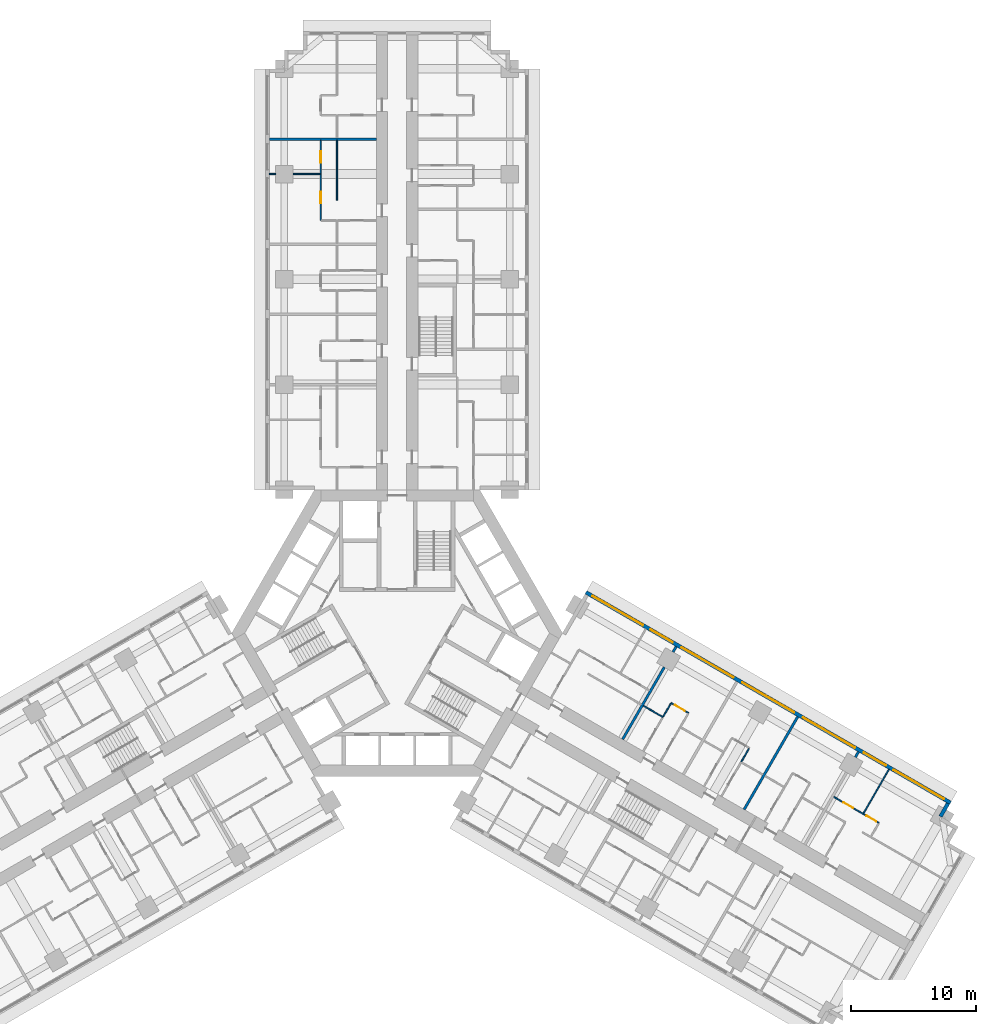
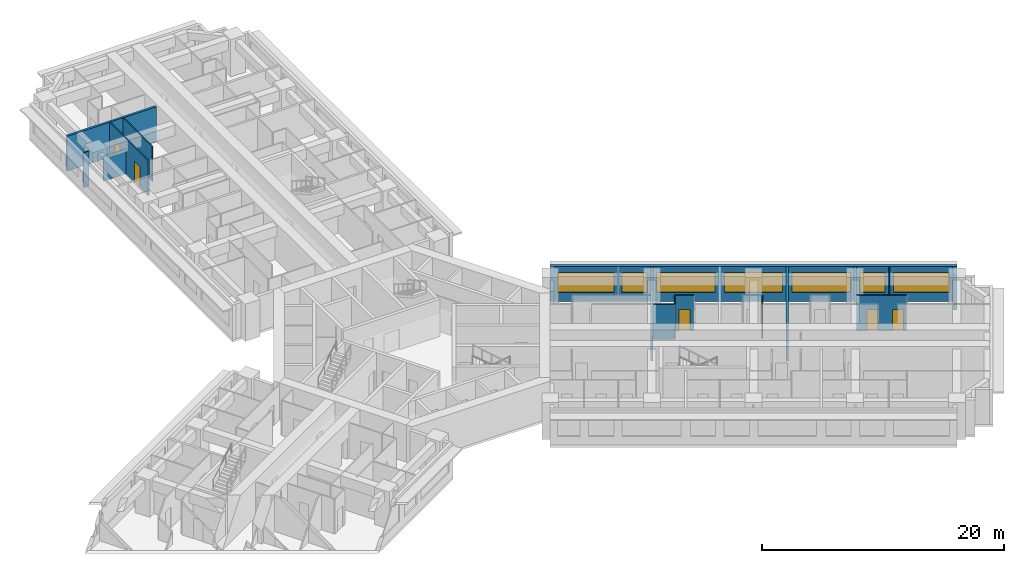
# One storey, part 13 of 16: 17 walls, 7 windows, 5 doors, 12 openings.
"""IFC4 building model written with IfcOpenShell, lengths in metres."""

from ifc_helpers import new_model, si_unit, direction, frame, frame_2d, origin, place, context, subcontext, project, spatial, rectangle, extrude, material, layer, layer_set, type_object, element, fill, save


model = new_model("IFC4")

# Units and contexts
model_context = context("Model", 3, precision=1e-05, world=origin(), true_north=direction((0.0, 1.0)))
body_context = subcontext(model_context, "Body", "Model", "MODEL_VIEW")
ifc_project = project(units=[si_unit("LENGTHUNIT", "METRE"), si_unit("AREAUNIT", "SQUARE_METRE"), si_unit("VOLUMEUNIT", "CUBIC_METRE"), si_unit("PLANEANGLEUNIT", "RADIAN"), si_unit("MASSUNIT", "GRAM", prefix="KILO")], contexts=[model_context])

# Site, building, storey
site_placement = place(None, origin())
site = spatial("IfcSite", under=ifc_project, at=site_placement, CompositionType="ELEMENT")
building_placement = place(site_placement, origin())
building = spatial("IfcBuilding", under=site, at=building_placement, Name="Impinga Residences", CompositionType="ELEMENT")
storey_placement = place(building_placement, frame((0.0, 0.0, 67.25)))
storey = spatial("IfcBuildingStorey", under=building, at=storey_placement, Name="L16", CompositionType="ELEMENT", Elevation=67.25)

# Wall, openings, windows
ifc_material_1 = material(Name="Terracotta rainscreen on blockwork", Category="masonry")
ifc_layer_1 = layer(ifc_material_1, 0.300048828125)
ifc_layer_set_1 = layer_set([ifc_layer_1], Name="EW1 external wall, terracotta rainscreen on blockwork 300")
wall_type_1 = type_object("IfcWallType", Name="EW1 external wall, terracotta rainscreen on blockwork 300", PredefinedType="SOLIDWALL", material=ifc_layer_set_1)
wall_1_placement = place(storey_placement, frame((15.074951171875, 3.24755859375, 0.0), z_axis=(0.0, 0.0, 1.0), x_axis=(0.866024291668, -0.500001926238, 0.0)))
wall_1 = element("IfcWall", 1, at=wall_1_placement, inside=storey, type_object=wall_type_1, Name="External wall EW1 L16", PredefinedType="SOLIDWALL", context=body_context, shape_type="SweptSolid", body=[
    extrude(rectangle(XDim=33.599853515625, YDim=0.300048828125, at=frame_2d((16.7998046875, 0.0))), origin(), (0.0, 0.0, 1.0), 3.530029296875),
])
opening_1_placement = place(wall_1_placement, frame((0.60009765625, 0.0, 0.89990234375)))
opening_1 = element("IfcOpeningElement", 2, at=opening_1_placement, cuts=wall_1, Name="Opening W10", PredefinedType="OPENING", context=body_context, shape_type="SweptSolid", body=[
    extrude(rectangle(XDim=4.64990234375, YDim=2.050048828125, at=frame_2d((2.324951171875, 1.02490234375))), frame((0.0, 0.159912109375, 0.0), z_axis=(0.0, -1.0, 0.0), x_axis=(1.0, 0.0, 0.0)), (0.0, 0.0, 1.0), 0.320068359375),
])
opening_2_placement = place(wall_1_placement, frame((5.949951171875, 0.0, 0.89990234375)))
opening_2 = element("IfcOpeningElement", 3, at=opening_2_placement, cuts=wall_1, Name="Opening W14", PredefinedType="OPENING", context=body_context, shape_type="SweptSolid", body=[
    extrude(rectangle(XDim=2.050048828125, YDim=2.050048828125, at=frame_2d((1.02490234375, 1.02490234375))), frame((0.0, 0.159912109375, 0.0), z_axis=(0.0, -1.0, 0.0), x_axis=(1.0, 0.0, 0.0)), (0.0, 0.0, 1.0), 0.320068359375),
])
opening_3_placement = place(wall_1_placement, frame((8.800048828125, 0.0, 0.89990234375)))
opening_3 = element("IfcOpeningElement", 4, at=opening_3_placement, cuts=wall_1, Name="Opening W8", PredefinedType="OPENING", context=body_context, shape_type="SweptSolid", body=[
    extrude(rectangle(XDim=4.800048828125, YDim=2.050048828125, at=frame_2d((2.39990234375, 1.02490234375))), frame((0.0, 0.159912109375, 0.0), z_axis=(0.0, -1.0, 0.0), x_axis=(1.0, 0.0, 0.0)), (0.0, 0.0, 1.0), 0.320068359375),
])
opening_4_placement = place(wall_1_placement, frame((14.39990234375, 0.0, 0.89990234375)))
opening_4 = element("IfcOpeningElement", 5, at=opening_4_placement, cuts=wall_1, Name="Opening W8", PredefinedType="OPENING", context=body_context, shape_type="SweptSolid", body=[
    extrude(rectangle(XDim=4.800048828125, YDim=2.050048828125, at=frame_2d((2.39990234375, 1.02490234375))), frame((0.0, 0.159912109375, 0.0), z_axis=(0.0, -1.0, 0.0), x_axis=(1.0, 0.0, 0.0)), (0.0, 0.0, 1.0), 0.320068359375),
])
opening_5_placement = place(wall_1_placement, frame((20.0, 0.0, 0.89990234375)))
opening_5 = element("IfcOpeningElement", 6, at=opening_5_placement, cuts=wall_1, Name="Opening W8", PredefinedType="OPENING", context=body_context, shape_type="SweptSolid", body=[
    extrude(rectangle(XDim=4.800048828125, YDim=2.050048828125, at=frame_2d((2.39990234375, 1.02490234375))), frame((0.0, 0.159912109375, 0.0), z_axis=(0.0, -1.0, 0.0), x_axis=(1.0, 0.0, 0.0)), (0.0, 0.0, 1.0), 0.320068359375),
])
opening_6_placement = place(wall_1_placement, frame((25.60009765625, 0.0, 0.89990234375)))
opening_6 = element("IfcOpeningElement", 7, at=opening_6_placement, cuts=wall_1, Name="Opening W14", PredefinedType="OPENING", context=body_context, shape_type="SweptSolid", body=[
    extrude(rectangle(XDim=2.050048828125, YDim=2.050048828125, at=frame_2d((1.02490234375, 1.02490234375))), frame((0.0, 0.159912109375, 0.0), z_axis=(0.0, -1.0, 0.0), x_axis=(1.0, 0.0, 0.0)), (0.0, 0.0, 1.0), 0.320068359375),
])
opening_7_placement = place(wall_1_placement, frame((28.35009765625, 0.0, 0.89990234375)))
opening_7 = element("IfcOpeningElement", 8, at=opening_7_placement, cuts=wall_1, Name="Opening W10", PredefinedType="OPENING", context=body_context, shape_type="SweptSolid", body=[
    extrude(rectangle(XDim=4.64990234375, YDim=2.050048828125, at=frame_2d((2.324951171875, 1.02490234375))), frame((0.0, 0.159912109375, 0.0), z_axis=(0.0, -1.0, 0.0), x_axis=(1.0, 0.0, 0.0)), (0.0, 0.0, 1.0), 0.320068359375),
])
ifc_material_2 = material(Name="Aluminium window, clear double glazing", Category="aluminium")
window_type_1 = type_object("IfcWindowType", Name="W10 ribbon window 4650x2050", PartitioningType="SINGLE_PANEL", PredefinedType="WINDOW", material=ifc_material_2)
window_1_placement = place(opening_1_placement, origin())
window_1 = element("IfcWindow", 9, at=window_1_placement, inside=storey, type_object=window_type_1, Name="Window L16", OverallHeight=2.050048828125, OverallWidth=4.64990234375, PartitioningType="SINGLE_PANEL", PredefinedType="WINDOW", context=body_context, shape_type="SweptSolid", body=[
    extrude(rectangle(XDim=4.64990234375, YDim=2.050048828125, at=frame_2d((2.324951171875, 1.02490234375))), frame((0.0, 0.030029296875, 0.0), z_axis=(0.0, -1.0, 0.0), x_axis=(1.0, 0.0, 0.0)), (0.0, 0.0, 1.0), 0.06005859375),
])
fill(opening_1, window_1)
window_2_placement = place(opening_7_placement, origin())
window_2 = element("IfcWindow", 10, at=window_2_placement, inside=storey, type_object=window_type_1, Name="Window L16", OverallHeight=2.050048828125, OverallWidth=4.64990234375, PartitioningType="SINGLE_PANEL", PredefinedType="WINDOW", context=body_context, shape_type="SweptSolid", body=[
    extrude(rectangle(XDim=4.64990234375, YDim=2.050048828125, at=frame_2d((2.324951171875, 1.02490234375))), frame((0.0, 0.030029296875, 0.0), z_axis=(0.0, -1.0, 0.0), x_axis=(1.0, 0.0, 0.0)), (0.0, 0.0, 1.0), 0.06005859375),
])
fill(opening_7, window_2)
window_type_2 = type_object("IfcWindowType", Name="W14 ribbon window 2050x2050", PartitioningType="SINGLE_PANEL", PredefinedType="WINDOW", material=ifc_material_2)
window_3_placement = place(opening_2_placement, origin())
window_3 = element("IfcWindow", 11, at=window_3_placement, inside=storey, type_object=window_type_2, Name="Window L16", OverallHeight=2.050048828125, OverallWidth=2.050048828125, PartitioningType="SINGLE_PANEL", PredefinedType="WINDOW", context=body_context, shape_type="SweptSolid", body=[
    extrude(rectangle(XDim=2.050048828125, YDim=2.050048828125, at=frame_2d((1.02490234375, 1.02490234375))), frame((0.0, 0.030029296875, 0.0), z_axis=(0.0, -1.0, 0.0), x_axis=(1.0, 0.0, 0.0)), (0.0, 0.0, 1.0), 0.06005859375),
])
fill(opening_2, window_3)
window_4_placement = place(opening_6_placement, origin())
window_4 = element("IfcWindow", 12, at=window_4_placement, inside=storey, type_object=window_type_2, Name="Window L16", OverallHeight=2.050048828125, OverallWidth=2.050048828125, PartitioningType="SINGLE_PANEL", PredefinedType="WINDOW", context=body_context, shape_type="SweptSolid", body=[
    extrude(rectangle(XDim=2.050048828125, YDim=2.050048828125, at=frame_2d((1.02490234375, 1.02490234375))), frame((0.0, 0.030029296875, 0.0), z_axis=(0.0, -1.0, 0.0), x_axis=(1.0, 0.0, 0.0)), (0.0, 0.0, 1.0), 0.06005859375),
])
fill(opening_6, window_4)
window_type_3 = type_object("IfcWindowType", Name="W8 ribbon window 4800x2050", PartitioningType="SINGLE_PANEL", PredefinedType="WINDOW", material=ifc_material_2)
window_5_placement = place(opening_3_placement, origin())
window_5 = element("IfcWindow", 13, at=window_5_placement, inside=storey, type_object=window_type_3, Name="Window L16", OverallHeight=2.050048828125, OverallWidth=4.800048828125, PartitioningType="SINGLE_PANEL", PredefinedType="WINDOW", context=body_context, shape_type="SweptSolid", body=[
    extrude(rectangle(XDim=4.800048828125, YDim=2.050048828125, at=frame_2d((2.39990234375, 1.02490234375))), frame((0.0, 0.030029296875, 0.0), z_axis=(0.0, -1.0, 0.0), x_axis=(1.0, 0.0, 0.0)), (0.0, 0.0, 1.0), 0.06005859375),
])
fill(opening_3, window_5)
window_6_placement = place(opening_4_placement, origin())
window_6 = element("IfcWindow", 14, at=window_6_placement, inside=storey, type_object=window_type_3, Name="Window L16", OverallHeight=2.050048828125, OverallWidth=4.800048828125, PartitioningType="SINGLE_PANEL", PredefinedType="WINDOW", context=body_context, shape_type="SweptSolid", body=[
    extrude(rectangle(XDim=4.800048828125, YDim=2.050048828125, at=frame_2d((2.39990234375, 1.02490234375))), frame((0.0, 0.030029296875, 0.0), z_axis=(0.0, -1.0, 0.0), x_axis=(1.0, 0.0, 0.0)), (0.0, 0.0, 1.0), 0.06005859375),
])
fill(opening_4, window_6)
window_7_placement = place(opening_5_placement, origin())
window_7 = element("IfcWindow", 15, at=window_7_placement, inside=storey, type_object=window_type_3, Name="Window L16", OverallHeight=2.050048828125, OverallWidth=4.800048828125, PartitioningType="SINGLE_PANEL", PredefinedType="WINDOW", context=body_context, shape_type="SweptSolid", body=[
    extrude(rectangle(XDim=4.800048828125, YDim=2.050048828125, at=frame_2d((2.39990234375, 1.02490234375))), frame((0.0, 0.030029296875, 0.0), z_axis=(0.0, -1.0, 0.0), x_axis=(1.0, 0.0, 0.0)), (0.0, 0.0, 1.0), 0.06005859375),
])
fill(opening_5, window_7)

# Walls
wall_2_placement = place(storey_placement, frame((43.968505859375, -13.607421875, 0.0), z_axis=(0.0, 0.0, 1.0), x_axis=(-0.500029051137, -0.866008630453, 0.0)))
element("IfcWall", 16, at=wall_2_placement, inside=storey, type_object=wall_type_1, Name="External wall EW1 L16", PredefinedType="SOLIDWALL", context=body_context, shape_type="SweptSolid", body=[
    extrude(rectangle(XDim=1.19482421875, YDim=0.300048828125, at=frame_2d((0.597412109375, 0.0))), origin(), (0.0, 0.0, 1.0), 3.530029296875),
])
ifc_material_3 = material(Name="Gypsum board on steel studs", Category="steel")
ifc_layer_2 = layer(ifc_material_3, 0.10009765625)
ifc_layer_set_2 = layer_set([ifc_layer_2], Name="Gypsum board on steel studs")
wall_type_2 = type_object("IfcWallType", Name="IP1 partition 100", PredefinedType="PARTITIONING", material=ifc_layer_set_2)
wall_3_placement = place(storey_placement, frame((-4.800048828125, 34.531494140625, 0.0), z_axis=(0.0, 0.0, 1.0), x_axis=(0.0, 1.0, 0.0)))
element("IfcWall", 17, at=wall_3_placement, inside=storey, type_object=wall_type_2, Name="Partition L16-NA4:DIV1", PredefinedType="PARTITIONING", context=body_context, shape_type="SweptSolid", body=[
    extrude(rectangle(XDim=4.800048828125, YDim=0.10009765625, at=frame_2d((2.39990234375, 0.0))), origin(), (0.0, 0.0, 1.0), 3.530029296875),
])

# Wall, openings, doors
wall_4_placement = place(storey_placement, frame((-6.10009765625, 32.931640625, 0.0), z_axis=(0.0, 0.0, 1.0), x_axis=(0.0, 1.0, 0.0)))
wall_4 = element("IfcWall", 18, at=wall_4_placement, inside=storey, type_object=wall_type_2, Name="Partition L16-NA4:STRIP", PredefinedType="PARTITIONING", context=body_context, shape_type="SweptSolid", body=[
    extrude(rectangle(XDim=6.39990234375, YDim=0.10009765625, at=frame_2d((3.199951171875, 0.0))), origin(), (0.0, 0.0, 1.0), 3.530029296875),
])
opening_8_placement = place(wall_4_placement, frame((1.375, 0.0, 0.0)))
opening_8 = element("IfcOpeningElement", 19, at=opening_8_placement, cuts=wall_4, Name="Opening D2", PredefinedType="OPENING", context=body_context, shape_type="SweptSolid", body=[
    extrude(rectangle(XDim=0.89990234375, YDim=2.10009765625, at=frame_2d((0.449951171875, 1.050048828125))), frame((0.0, 0.06005859375, 0.0), z_axis=(0.0, -1.0, 0.0), x_axis=(1.0, 0.0, 0.0)), (0.0, 0.0, 1.0), 0.1201171875),
])
opening_9_placement = place(wall_4_placement, frame((4.625, 0.0, 0.0)))
opening_9 = element("IfcOpeningElement", 20, at=opening_9_placement, cuts=wall_4, Name="Opening D2", PredefinedType="OPENING", context=body_context, shape_type="SweptSolid", body=[
    extrude(rectangle(XDim=0.89990234375, YDim=2.10009765625, at=frame_2d((0.449951171875, 1.050048828125))), frame((0.0, 0.06005859375, 0.0), z_axis=(0.0, -1.0, 0.0), x_axis=(1.0, 0.0, 0.0)), (0.0, 0.0, 1.0), 0.1201171875),
])
ifc_material_4 = material(Name="Timber door set", Category="wood")
door_type = type_object("IfcDoorType", Name="D2 internal door 900x2100", OperationType="SINGLE_SWING_LEFT", PredefinedType="DOOR", material=ifc_material_4)
door_1_placement = place(opening_8_placement, origin())
door_1 = element("IfcDoor", 21, at=door_1_placement, inside=storey, type_object=door_type, Name="Apartment L16-NA4 room door", OperationType="SINGLE_SWING_LEFT", OverallHeight=2.10009765625, OverallWidth=0.89990234375, PredefinedType="DOOR", context=body_context, shape_type="SweptSolid", body=[
    extrude(rectangle(XDim=0.89990234375, YDim=2.10009765625, at=frame_2d((0.449951171875, 1.050048828125))), frame((0.0, 0.02490234375, 0.0), z_axis=(0.0, -1.0, 0.0), x_axis=(1.0, 0.0, 0.0)), (0.0, 0.0, 1.0), 0.050048828125),
])
fill(opening_8, door_1)
door_2_placement = place(opening_9_placement, origin())
door_2 = element("IfcDoor", 22, at=door_2_placement, inside=storey, type_object=door_type, Name="Apartment L16-NA4 room door", OperationType="SINGLE_SWING_RIGHT", OverallHeight=2.10009765625, OverallWidth=0.89990234375, PredefinedType="DOOR", context=body_context, shape_type="SweptSolid", body=[
    extrude(rectangle(XDim=0.89990234375, YDim=2.10009765625, at=frame_2d((0.449951171875, 1.050048828125))), frame((0.0, 0.02490234375, 0.0), z_axis=(0.0, -1.0, 0.0), x_axis=(1.0, 0.0, 0.0)), (0.0, 0.0, 1.0), 0.050048828125),
])
fill(opening_9, door_2)

# Walls
wall_5_placement = place(storey_placement, frame((-6.14990234375, 36.631591796875, 0.0), z_axis=(0.0, 0.0, 1.0), x_axis=(-1.0, 0.0, 0.0)))
element("IfcWall", 23, at=wall_5_placement, inside=storey, type_object=wall_type_2, Name="Partition L16-NA4:OB1", PredefinedType="PARTITIONING", context=body_context, shape_type="SweptSolid", body=[
    extrude(rectangle(XDim=2.150146484375, YDim=0.10009765625, at=frame_2d((1.0751953125, 0.0))), origin(), (0.0, 0.0, 1.0), 2.47998046875),
])
wall_6_placement = place(storey_placement, frame((-9.699951171875, 36.631591796875, 0.0), z_axis=(0.0, 0.0, 1.0), x_axis=(-1.0, 0.0, 0.0)))
element("IfcWall", 24, at=wall_6_placement, inside=storey, type_object=wall_type_2, Name="Partition L16-NA4:OB1b", PredefinedType="PARTITIONING", context=body_context, shape_type="SweptSolid", body=[
    extrude(rectangle(XDim=0.5, YDim=0.10009765625, at=frame_2d((0.25, 0.0))), origin(), (0.0, 0.0, 1.0), 3.530029296875),
])
wall_7_placement = place(storey_placement, frame((19.6611328125, -5.808837890625, 0.0), z_axis=(0.0, 0.0, 1.0), x_axis=(0.866047807691, -0.499961193289, 0.0)))
element("IfcWall", 25, at=wall_7_placement, inside=storey, type_object=wall_type_2, Name="Partition L16-EA2:DIV0", PredefinedType="PARTITIONING", context=body_context, shape_type="SweptSolid", body=[
    extrude(rectangle(XDim=1.800048828125, YDim=0.10009765625, at=frame_2d((0.89990234375, 0.0))), origin(), (0.0, 0.0, 1.0), 3.530029296875),
])

# Wall, opening, door
wall_8_placement = place(storey_placement, frame((21.8701171875, -5.5830078125, 0.0), z_axis=(0.0, 0.0, 1.0), x_axis=(0.865989903783, -0.500061482766, 0.0)))
wall_8 = element("IfcWall", 26, at=wall_8_placement, inside=storey, type_object=wall_type_2, Name="Partition L16-EA2:STRIP", PredefinedType="PARTITIONING", context=body_context, shape_type="SweptSolid", body=[
    extrude(rectangle(XDim=1.599853515625, YDim=0.10009765625, at=frame_2d((0.7998046875, 0.0))), origin(), (0.0, 0.0, 1.0), 3.530029296875),
])
opening_10_placement = place(wall_8_placement, frame((0.35009765625, 0.0, 0.0)))
opening_10 = element("IfcOpeningElement", 27, at=opening_10_placement, cuts=wall_8, Name="Opening D2", PredefinedType="OPENING", context=body_context, shape_type="SweptSolid", body=[
    extrude(rectangle(XDim=0.89990234375, YDim=2.10009765625, at=frame_2d((0.449951171875, 1.050048828125))), frame((0.0, 0.06005859375, 0.0), z_axis=(0.0, -1.0, 0.0), x_axis=(1.0, 0.0, 0.0)), (0.0, 0.0, 1.0), 0.1201171875),
])
door_3_placement = place(opening_10_placement, origin())
door_3 = element("IfcDoor", 28, at=door_3_placement, inside=storey, type_object=door_type, Name="Apartment L16-EA2 room door", OperationType="SINGLE_SWING_LEFT", OverallHeight=2.10009765625, OverallWidth=0.89990234375, PredefinedType="DOOR", context=body_context, shape_type="SweptSolid", body=[
    extrude(rectangle(XDim=0.89990234375, YDim=2.10009765625, at=frame_2d((0.449951171875, 1.050048828125))), frame((0.0, 0.02490234375, 0.0), z_axis=(0.0, -1.0, 0.0), x_axis=(1.0, 0.0, 0.0)), (0.0, 0.0, 1.0), 0.050048828125),
])
fill(opening_10, door_3)

# Walls
wall_9_placement = place(storey_placement, frame((21.2451171875, -6.66552734375, 0.0), z_axis=(0.0, 0.0, 1.0), x_axis=(0.499880961361, 0.866094119867, 0.0)))
element("IfcWall", 29, at=wall_9_placement, inside=storey, type_object=wall_type_2, Name="Partition L16-EA2:SE0", PredefinedType="PARTITIONING", context=body_context, shape_type="SweptSolid", body=[
    extrude(rectangle(XDim=1.199951171875, YDim=0.10009765625, at=frame_2d((0.60009765625, 0.0))), origin(), (0.0, 0.0, 1.0), 3.530029296875),
])
wall_10_placement = place(storey_placement, frame((27.48046875, -10.265625, 0.0), z_axis=(0.0, 0.0, 1.0), x_axis=(0.500033551112, 0.866006032174, 0.0)))
element("IfcWall", 30, at=wall_10_placement, inside=storey, type_object=wall_type_2, Name="Partition L16-EA3:SE1", PredefinedType="PARTITIONING", context=body_context, shape_type="SweptSolid", body=[
    extrude(rectangle(XDim=1.2001953125, YDim=0.10009765625, at=frame_2d((0.60009765625, 0.0))), origin(), (0.0, 0.0, 1.0), 3.530029296875),
])

# Wall, openings, doors
wall_11_placement = place(storey_placement, frame((34.8603515625, -13.0830078125, 0.0), z_axis=(0.0, 0.0, 1.0), x_axis=(0.86602981871, -0.499992353047, 0.0)))
wall_11 = element("IfcWall", 31, at=wall_11_placement, inside=storey, type_object=wall_type_2, Name="Partition L16-EA5:STRIP", PredefinedType="PARTITIONING", context=body_context, shape_type="SweptSolid", body=[
    extrude(rectangle(XDim=4.14990234375, YDim=0.10009765625, at=frame_2d((2.074951171875, 0.0))), origin(), (0.0, 0.0, 1.0), 3.530029296875),
])
opening_11_placement = place(wall_11_placement, frame((0.875, 0.0, 0.0)))
opening_11 = element("IfcOpeningElement", 32, at=opening_11_placement, cuts=wall_11, Name="Opening D2", PredefinedType="OPENING", context=body_context, shape_type="SweptSolid", body=[
    extrude(rectangle(XDim=0.89990234375, YDim=2.10009765625, at=frame_2d((0.449951171875, 1.050048828125))), frame((0.0, 0.06005859375, 0.0), z_axis=(0.0, -1.0, 0.0), x_axis=(1.0, 0.0, 0.0)), (0.0, 0.0, 1.0), 0.1201171875),
])
opening_12_placement = place(wall_11_placement, frame((3.0, 0.0, 0.0)))
opening_12 = element("IfcOpeningElement", 33, at=opening_12_placement, cuts=wall_11, Name="Opening D2", PredefinedType="OPENING", context=body_context, shape_type="SweptSolid", body=[
    extrude(rectangle(XDim=0.89990234375, YDim=2.10009765625, at=frame_2d((0.449951171875, 1.050048828125))), frame((0.0, 0.06005859375, 0.0), z_axis=(0.0, -1.0, 0.0), x_axis=(1.0, 0.0, 0.0)), (0.0, 0.0, 1.0), 0.1201171875),
])
door_4_placement = place(opening_11_placement, origin())
door_4 = element("IfcDoor", 34, at=door_4_placement, inside=storey, type_object=door_type, Name="Apartment L16-EA5 room door", OperationType="SINGLE_SWING_LEFT", OverallHeight=2.10009765625, OverallWidth=0.89990234375, PredefinedType="DOOR", context=body_context, shape_type="SweptSolid", body=[
    extrude(rectangle(XDim=0.89990234375, YDim=2.10009765625, at=frame_2d((0.449951171875, 1.050048828125))), frame((0.0, 0.02490234375, 0.0), z_axis=(0.0, -1.0, 0.0), x_axis=(1.0, 0.0, 0.0)), (0.0, 0.0, 1.0), 0.050048828125),
])
fill(opening_11, door_4)
door_5_placement = place(opening_12_placement, origin())
door_5 = element("IfcDoor", 35, at=door_5_placement, inside=storey, type_object=door_type, Name="Apartment L16-EA5 room door", OperationType="SINGLE_SWING_RIGHT", OverallHeight=2.10009765625, OverallWidth=0.89990234375, PredefinedType="DOOR", context=body_context, shape_type="SweptSolid", body=[
    extrude(rectangle(XDim=0.89990234375, YDim=2.10009765625, at=frame_2d((0.449951171875, 1.050048828125))), frame((0.0, 0.02490234375, 0.0), z_axis=(0.0, -1.0, 0.0), x_axis=(1.0, 0.0, 0.0)), (0.0, 0.0, 1.0), 0.050048828125),
])
fill(opening_12, door_5)

# Walls
wall_12_placement = place(storey_placement, frame((37.2236328125, -14.3896484375, 0.0), z_axis=(0.0, 0.0, 1.0), x_axis=(0.500035537042, 0.866004885491, 0.0)))
element("IfcWall", 36, at=wall_12_placement, inside=storey, type_object=wall_type_2, Name="Partition L16-EA5:OB1", PredefinedType="PARTITIONING", context=body_context, shape_type="SweptSolid", body=[
    extrude(rectangle(XDim=4.050048828125, YDim=0.10009765625, at=frame_2d((2.02490234375, 0.0))), origin(), (0.0, 0.0, 1.0), 3.530029296875),
])
ifc_material_5 = material(Name="Concrete blockwork", Category="masonry")
ifc_layer_3 = layer(ifc_material_5, 0.199951171875)
ifc_layer_set_3 = layer_set([ifc_layer_3], Name="PW1 party wall between apartments 200")
wall_type_3 = type_object("IfcWallType", Name="PW1 party wall between apartments 200", PredefinedType="SOLIDWALL", material=ifc_layer_set_3)
wall_13_placement = place(storey_placement, frame((-1.64990234375, 39.431640625, 0.0), z_axis=(0.0, 0.0, 1.0), x_axis=(-1.0, 0.0, 0.0)))
element("IfcWall", 37, at=wall_13_placement, inside=storey, type_object=wall_type_3, Name="Party wall between apartments L16-NA4:PARTY", PredefinedType="SOLIDWALL", context=body_context, shape_type="SweptSolid", body=[
    extrude(rectangle(XDim=8.550048828125, YDim=0.199951171875, at=frame_2d((4.27490234375, 0.0))), origin(), (0.0, 0.0, 1.0), 3.530029296875),
])
wall_14_placement = place(storey_placement, frame((17.99951171875, -8.48681640625, 0.0), z_axis=(0.0, 0.0, 1.0), x_axis=(0.500024353964, 0.86601134256, 0.0)))
element("IfcWall", 38, at=wall_14_placement, inside=storey, type_object=wall_type_3, Name="Party wall between apartments L16-EA1:PARTY", PredefinedType="SOLIDWALL", context=body_context, shape_type="SweptSolid", body=[
    extrude(rectangle(XDim=6.650146484375, YDim=0.199951171875, at=frame_2d((3.3251953125, 0.0))), origin(), (0.0, 0.0, 1.0), 2.47998046875),
])
wall_15_placement = place(storey_placement, frame((22.024658203125, -1.515380859375, 0.0), z_axis=(0.0, 0.0, 1.0), x_axis=(0.499919672301, 0.866071776036, 0.0)))
element("IfcWall", 39, at=wall_15_placement, inside=storey, type_object=wall_type_3, Name="Party wall between apartments L16-EA1:PARTYb", PredefinedType="SOLIDWALL", context=body_context, shape_type="SweptSolid", body=[
    extrude(rectangle(XDim=0.5, YDim=0.199951171875, at=frame_2d((0.25, 0.0))), origin(), (0.0, 0.0, 1.0), 3.530029296875),
])
wall_16_placement = place(storey_placement, frame((27.69921875, -14.0869140625, 0.0), z_axis=(0.0, 0.0, 1.0), x_axis=(0.499990227581, 0.86603104582, 0.0)))
element("IfcWall", 40, at=wall_16_placement, inside=storey, type_object=wall_type_3, Name="Party wall between apartments L16-EA3:PARTY", PredefinedType="SOLIDWALL", context=body_context, shape_type="SweptSolid", body=[
    extrude(rectangle(XDim=8.550048828125, YDim=0.199951171875, at=frame_2d((4.27490234375, 0.0))), origin(), (0.0, 0.0, 1.0), 3.530029296875),
])
wall_17_placement = place(storey_placement, frame((36.57373046875, -9.915283203125, 0.0), z_axis=(0.0, 0.0, 1.0), x_axis=(0.500131122175, 0.865949687125, 0.0)))
element("IfcWall", 41, at=wall_17_placement, inside=storey, type_object=wall_type_3, Name="Party wall between apartments L16-EA4:PARTYb", PredefinedType="SOLIDWALL", context=body_context, shape_type="SweptSolid", body=[
    extrude(rectangle(XDim=0.499755859375, YDim=0.199951171875, at=frame_2d((0.25, 0.0))), origin(), (0.0, 0.0, 1.0), 3.530029296875),
])

save(model, "model.ifc")
